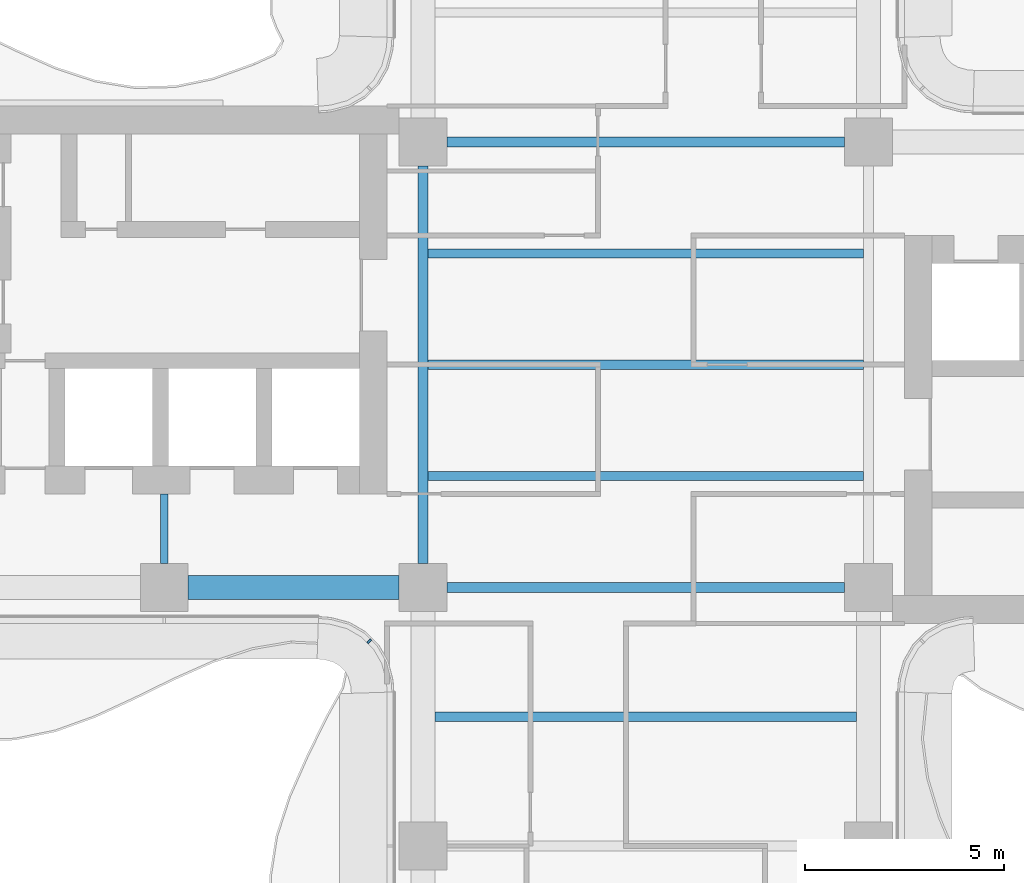
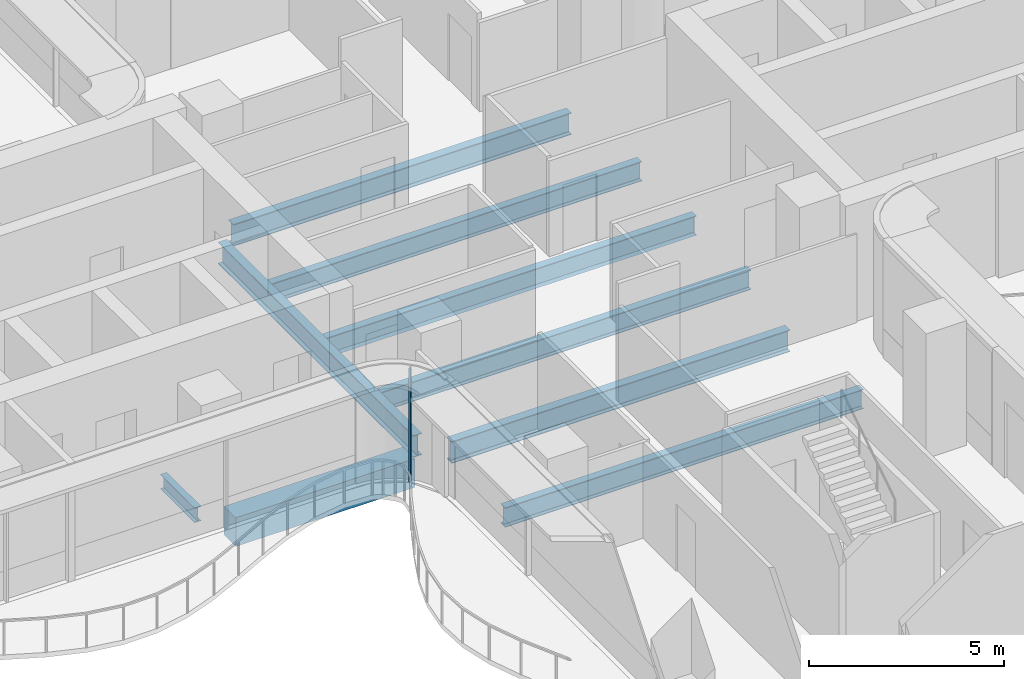
# One storey, part 4 of 17: 9 beams, 1 member, 1 element without a shape of its own.
"""IFC4 building model written with IfcOpenShell, lengths in metres."""

from ifc_helpers import new_model, si_unit, direction, frame, origin, origin_2d, place, context, subcontext, project, spatial, rectangle, i_section, extrude, source, transform, mapped, material, layer, layer_set, material_profile, profile_set, type_object, element, aggregate, save


model = new_model("IFC4")

# Units and contexts
model_context = context("Model", 3, precision=1e-05, world=origin(), true_north=direction((0.0, 1.0)))
body_context = subcontext(model_context, "Body", "Model", "MODEL_VIEW")
ifc_project = project(units=[si_unit("LENGTHUNIT", "METRE"), si_unit("AREAUNIT", "SQUARE_METRE"), si_unit("VOLUMEUNIT", "CUBIC_METRE"), si_unit("PLANEANGLEUNIT", "RADIAN"), si_unit("MASSUNIT", "GRAM", prefix="KILO")], contexts=[model_context])

# Site, building, storey
site_placement = place(None, origin())
site = spatial("IfcSite", under=ifc_project, at=site_placement, CompositionType="ELEMENT")
building_placement = place(site_placement, origin())
building = spatial("IfcBuilding", under=site, at=building_placement, Name="Trellis Farm Tower", CompositionType="ELEMENT")
storey_placement = place(building_placement, frame((0.0, 0.0, 165.89990234375)))
storey = spatial("IfcBuildingStorey", under=building, at=storey_placement, Name="L35", CompositionType="ELEMENT", Elevation=165.89990234375)

# Beams
ifc_material_1 = material(Name="Concrete C60/75", Category="concrete")
ifc_material_profile_1 = material_profile(ifc_material_1, rectangle(XDim=0.60009765625, YDim=0.89990234375, at=origin_2d()), Name="RC spandrel beam 600x900 C60/75")
ifc_profile_set_1 = profile_set([ifc_material_profile_1], Name="Concrete C60/75")
beam_type_1 = type_object("IfcBeamType", Name="RC spandrel beam 600x900 C60/75", PredefinedType="SPANDREL", material=ifc_profile_set_1)
shared_shape_1 = source(origin(), body_context, "Body", "SweptSolid", [
    extrude(rectangle(XDim=0.60009765625, YDim=0.89990234375, at=origin_2d()), origin(), (0.0, 0.0, 1.0), 5.300048828125),
])
beam_1_placement = place(storey_placement, frame((-11.5, -5.60009765625, -0.64990234375), z_axis=(1.0, 0.0, 0.0), x_axis=(0.0, 1.0, 0.0)))
element("IfcBeam", 1, at=beam_1_placement, inside=storey, type_object=beam_type_1, Name="Girder", PredefinedType="SPANDREL", context=body_context, shape_type="MappedRepresentation", body=[
    mapped(shared_shape_1, transform((0.0, 0.0, 0.0))),
])
ifc_material_2 = material(Name="Steel S355", Category="steel")
ifc_material_profile_2 = material_profile(ifc_material_2, i_section(OverallWidth=0.253662109375, OverallDepth=0.68359375, WebThickness=0.012451171875, FlangeThickness=0.021728515625, FilletRadius=0.01513671875, at=origin_2d()), Name="UB 686x254x140")
ifc_profile_set_2 = profile_set([ifc_material_profile_2], Name="Steel S355")
beam_type_2 = type_object("IfcBeamType", Name="UB 686x254x140", PredefinedType="BEAM", material=ifc_profile_set_2)
shared_shape_2 = source(origin(), body_context, "Body", "SweptSolid", [
    extrude(i_section(OverallWidth=0.253662109375, OverallDepth=0.68359375, WebThickness=0.012451171875, FlangeThickness=0.021728515625, FilletRadius=0.01513671875, at=origin_2d()), origin(), (0.0, 0.0, 1.0), 10.0),
])
for number, where, z_axis, x_axis, name in (
    (2, (-5.0, -5.60009765625, -0.54150390625), (1.0, 0.0, 0.0), (0.0, 1.0, 0.0), "Girder"),
    (3, (-5.0, 5.60009765625, -0.54150390625), (1.0, 0.0, 0.0), (0.0, 1.0, 0.0), "Girder"),
    (4, (-5.60009765625, -5.0, -0.54150390625), (0.0, 1.0, 0.0), (-1.0, 0.0, 0.0), "Girder"),
):
    element("IfcBeam", number, at=place(storey_placement, frame(where, z_axis=z_axis, x_axis=x_axis)), inside=storey, type_object=beam_type_2, Name=name, PredefinedType="BEAM", context=body_context, shape_type="MappedRepresentation", body=[
        mapped(shared_shape_2, transform((0.0, 0.0, 0.0))),
    ])
ifc_material_profile_3 = material_profile(ifc_material_2, i_section(OverallWidth=0.1904296875, OverallDepth=0.45703125, WebThickness=0.009033203125, FlangeThickness=0.014404296875, FilletRadius=0.01025390625, at=origin_2d()), Name="UB 457x191x74")
ifc_profile_set_3 = profile_set([ifc_material_profile_3], Name="Steel S355")
beam_type_3 = type_object("IfcBeamType", Name="UB 457x191x74", PredefinedType="BEAM", material=ifc_profile_set_3)
shared_shape_3 = source(origin(), body_context, "Body", "SweptSolid", [
    extrude(i_section(OverallWidth=0.1904296875, OverallDepth=0.45703125, WebThickness=0.009033203125, FlangeThickness=0.014404296875, FilletRadius=0.01025390625, at=origin_2d()), origin(), (0.0, 0.0, 1.0), 1.75),
])
beam_2_placement = place(storey_placement, frame((-12.10009765625, -5.0, -0.428466796875), z_axis=(0.0, 1.0, 0.0), x_axis=(-1.0, 0.0, 0.0)))
element("IfcBeam", 5, at=beam_2_placement, inside=storey, type_object=beam_type_3, Name="Girder", PredefinedType="BEAM", context=body_context, shape_type="MappedRepresentation", body=[
    mapped(shared_shape_3, transform((0.0, 0.0, 0.0))),
])
ifc_material_profile_4 = material_profile(ifc_material_2, i_section(OverallWidth=0.22900390625, OverallDepth=0.6123046875, WebThickness=0.011962890625, FlangeThickness=0.01953125, FilletRadius=0.0126953125, at=origin_2d()), Name="UB 610x229x125")
ifc_profile_set_4 = profile_set([ifc_material_profile_4], Name="Steel S355")
beam_type_4 = type_object("IfcBeamType", Name="UB 610x229x125 joist", PredefinedType="JOIST", material=ifc_profile_set_4)
shared_shape_4 = source(origin(), body_context, "Body", "SweptSolid", [
    extrude(i_section(OverallWidth=0.22900390625, OverallDepth=0.6123046875, WebThickness=0.011962890625, FlangeThickness=0.01953125, FilletRadius=0.0126953125, at=origin_2d()), origin(), (0.0, 0.0, 1.0), 10.9462890625),
])
for number, where, z_axis, x_axis, name in (
    (6, (-5.47314453125, -2.800048828125, -0.506103515625), (1.0, 0.0, 0.0), (0.0, 1.0, 0.0), "Floor beam"),
    (7, (-5.47314453125, 0.0, -0.506103515625), (1.0, 0.0, 0.0), (0.0, 1.0, 0.0), "Floor beam"),
    (8, (-5.47314453125, 2.800048828125, -0.506103515625), (1.0, 0.0, 0.0), (0.0, 1.0, 0.0), "Floor beam"),
):
    element("IfcBeam", number, at=place(storey_placement, frame(where, z_axis=z_axis, x_axis=x_axis)), inside=storey, type_object=beam_type_4, Name=name, PredefinedType="JOIST", context=body_context, shape_type="MappedRepresentation", body=[
        mapped(shared_shape_4, transform((0.0, 0.0, 0.0))),
    ])
shared_shape_5 = source(origin(), body_context, "Body", "SweptSolid", [
    extrude(i_section(OverallWidth=0.22900390625, OverallDepth=0.6123046875, WebThickness=0.011962890625, FlangeThickness=0.01953125, FilletRadius=0.0126953125, at=origin_2d()), origin(), (0.0, 0.0, 1.0), 10.60009765625),
])
beam_3_placement = place(storey_placement, frame((-5.300048828125, -8.85009765625, -0.506103515625), z_axis=(1.0, 0.0, 0.0), x_axis=(0.0, 1.0, 0.0)))
element("IfcBeam", 9, at=beam_3_placement, inside=storey, type_object=beam_type_4, Name="Floor beam", PredefinedType="JOIST", context=body_context, shape_type="MappedRepresentation", body=[
    mapped(shared_shape_5, transform((0.0, 0.0, 0.0))),
])

# Curtain wall, member
ifc_material_3 = material(Name="Aluminium and glass curtain wall", Category="aluminium")
ifc_layer = layer(ifc_material_3, 0.166015625)
ifc_layer_set = layer_set([ifc_layer], Name="WINTER GARDEN CURTAIN WALL CW3")
curtain_wall_type = type_object("IfcCurtainWallType", Name="WINTER GARDEN CURTAIN WALL CW3", PredefinedType="NOTDEFINED", material=ifc_layer_set)
curtain_wall_placement = place(storey_placement, origin())
curtain_wall = element("IfcCurtainWall", 10, at=curtain_wall_placement, inside=storey, type_object=curtain_wall_type, Name="CW3 001", PredefinedType="NOTDEFINED")
ifc_material_4 = material(Name="Aluminium extrusion 6063-T6", Category="aluminium")
ifc_material_profile_5 = material_profile(ifc_material_4, rectangle(XDim=0.050048828125, YDim=0.1201171875, at=origin_2d()), Name="MULLION 50x120")
ifc_profile_set_5 = profile_set([ifc_material_profile_5], Name="Aluminium extrusion 6063-T6")
member_type = type_object("IfcMemberType", Name="CW3 MULLION 50x120", PredefinedType="MULLION", material=ifc_profile_set_5)
shared_shape_6 = source(origin(), body_context, "Body", "SweptSolid", [
    extrude(rectangle(XDim=0.050048828125, YDim=0.1201171875, at=origin_2d()), origin(), (0.0, 0.0, 1.0), 3.550048828125),
])
member_placement = place(storey_placement, frame((-6.953125, -6.953125, 0.0), z_axis=(0.0, 0.0, 1.0), x_axis=(0.707106781187, -0.707106781187, 0.0)))
member = element("IfcMember", 11, at=member_placement, type_object=member_type, Name="MU3 001-01", PredefinedType="MULLION", context=body_context, shape_type="MappedRepresentation", body=[
    mapped(shared_shape_6, transform((0.0, 0.0, 0.0))),
])
aggregate(curtain_wall, [member])

save(model, "model.ifc")
